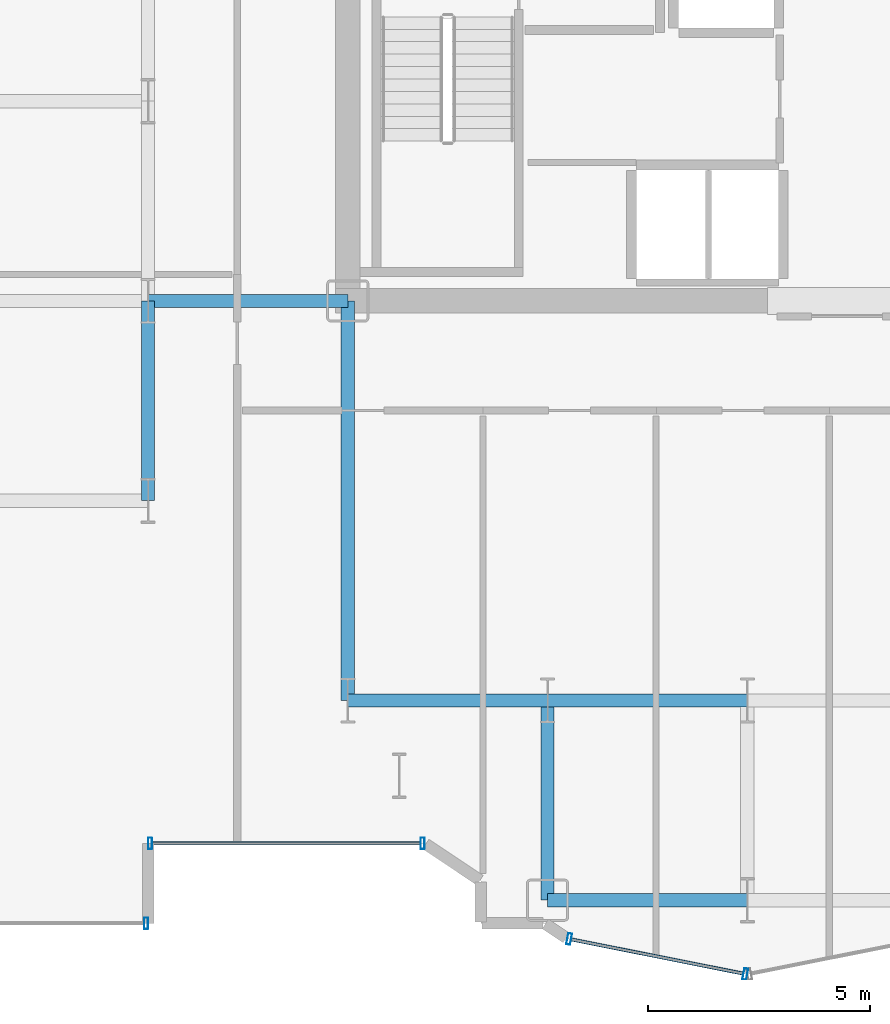
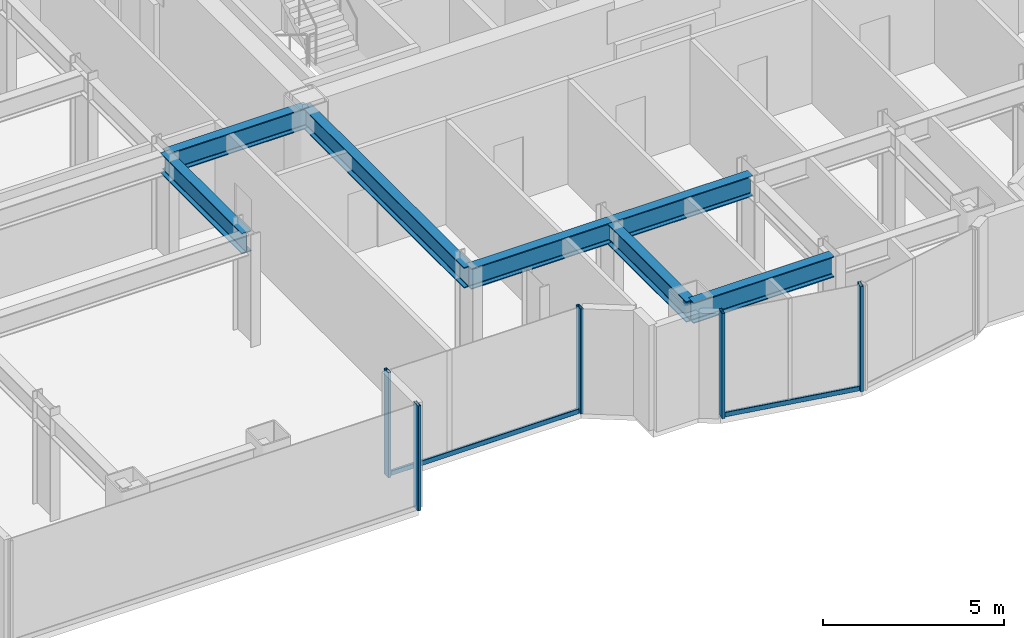
# One storey, part 4 of 25: 7 beams, 7 members, 3 elements without a shape of their own.
"""IFC4 building model written with IfcOpenShell, lengths in metres."""

from ifc_helpers import new_model, si_unit, direction, frame, origin, origin_2d, place, context, subcontext, project, spatial, hollow_rectangle, i_section, extrude, source, transform, mapped, material, layer, layer_set, material_profile, profile_set, type_object, element, aggregate, save


model = new_model("IFC4")

# Units and contexts
model_context = context("Model", 3, precision=1e-05, world=origin(), true_north=direction((0.0, 1.0)))
body_context = subcontext(model_context, "Body", "Model", "MODEL_VIEW")
ifc_project = project(units=[si_unit("LENGTHUNIT", "METRE"), si_unit("AREAUNIT", "SQUARE_METRE"), si_unit("VOLUMEUNIT", "CUBIC_METRE"), si_unit("PLANEANGLEUNIT", "RADIAN"), si_unit("MASSUNIT", "GRAM", prefix="KILO")], contexts=[model_context])

# Site, building, storey
site_placement = place(None, origin())
site = spatial("IfcSite", under=ifc_project, at=site_placement, CompositionType="ELEMENT")
building_placement = place(site_placement, origin())
building = spatial("IfcBuilding", under=site, at=building_placement, Name="Nefas-Gora Pilgrimage Tower", CompositionType="ELEMENT")
storey_placement = place(building_placement, frame((0.0, 0.0, 98.39990234375)))
storey = spatial("IfcBuildingStorey", under=building, at=storey_placement, Name="L23", CompositionType="ELEMENT", Elevation=98.39990234375)

# Beams
ifc_material_1 = material(Name="Steel S355", Category="steel")
ifc_material_profile_1 = material_profile(ifc_material_1, i_section(OverallWidth=0.300048828125, OverallDepth=0.699951171875, WebThickness=0.01708984375, FlangeThickness=0.031982421875, FilletRadius=0.027099609375, at=origin_2d()), Name="HEB 700")
ifc_profile_set_1 = profile_set([ifc_material_profile_1], Name="Steel S355")
beam_type = type_object("IfcBeamType", Name="BM-GIR-HEB700", PredefinedType="BEAM", material=ifc_profile_set_1)
shared_shape_1 = source(origin(), body_context, "Body", "SweptSolid", [
    extrude(i_section(OverallWidth=0.300048828125, OverallDepth=0.699951171875, WebThickness=0.01708984375, FlangeThickness=0.031982421875, FilletRadius=0.027099609375, at=origin_2d()), origin(), (0.0, 0.0, 1.0), 9.0),
])
beam_placement = place(storey_placement, frame((-11.25, -18.0, 3.2001953125), z_axis=(0.0, 1.0, 0.0), x_axis=(-1.0, 0.0, 0.0)))
element("IfcBeam", 1, at=beam_placement, inside=storey, type_object=beam_type, Name="L23 G-02 beam", PredefinedType="BEAM", context=body_context, shape_type="MappedRepresentation", body=[
    mapped(shared_shape_1, transform((0.0, 0.0, 0.0), x_axis=(1.0, 0.0, 0.0), y_axis=(0.0, 1.0, 0.0), z_axis=(0.0, 0.0, 1.0), scale=1.0)),
])
shared_shape_2 = source(origin(), body_context, "Body", "SweptSolid", [
    extrude(i_section(OverallWidth=0.300048828125, OverallDepth=0.699951171875, WebThickness=0.01708984375, FlangeThickness=0.031982421875, FilletRadius=0.027099609375, at=origin_2d()), origin(), (0.0, 0.0, 1.0), 4.5),
])
for number, where, z_axis, x_axis, name in (
    (2, (-15.75, -13.5, 3.2001953125), (0.0, 1.0, 0.0), (-1.0, 0.0, 0.0), "L23 G-02 beam"),
    (3, (-15.75, -9.0, 3.2001953125), (1.0, 0.0, 0.0), (0.0, 1.0, 0.0), "L23 G-02 beam"),
    (4, (-11.25, -18.0, 3.2001953125), (1.0, 0.0, 0.0), (0.0, 1.0, 0.0), "L23 G-02 beam"),
    (5, (-6.75, -22.5, 3.2001953125), (0.0, 1.0, 0.0), (-1.0, 0.0, 0.0), "L23 G-02 beam"),
    (6, (-6.75, -22.5, 3.2001953125), (1.0, 0.0, 0.0), (0.0, 1.0, 0.0), "L23 G-02 beam"),
    (7, (-6.75, -18.0, 3.2001953125), (1.0, 0.0, 0.0), (0.0, 1.0, 0.0), "L23 G-02 beam"),
):
    element("IfcBeam", number, at=place(storey_placement, frame(where, z_axis=z_axis, x_axis=x_axis)), inside=storey, type_object=beam_type, Name=name, PredefinedType="BEAM", context=body_context, shape_type="MappedRepresentation", body=[
        mapped(shared_shape_2, transform((0.0, 0.0, 0.0), x_axis=(1.0, 0.0, 0.0), y_axis=(0.0, 1.0, 0.0), z_axis=(0.0, 0.0, 1.0), scale=1.0)),
    ])

# Curtain wall, members
ifc_material_2 = material(Name="Dark ceramic-fritted solar-control aluminium-glass curtain wall", Category="aluminium")
ifc_layer_1 = layer(ifc_material_2, 0.219970703125)
ifc_layer_set_1 = layer_set([ifc_layer_1], Name="Dark ceramic-fritted solar-control aluminium-glass curtain wall")
curtain_wall_type_1 = type_object("IfcCurtainWallType", Name="CW-SYS-5", PredefinedType="NOTDEFINED", material=ifc_layer_set_1)
curtain_wall_1_placement = place(storey_placement, origin())
curtain_wall_1 = element("IfcCurtainWall", 8, at=curtain_wall_1_placement, inside=storey, type_object=curtain_wall_type_1, Name="L23 Unitised Curtain Wall CW5", PredefinedType="NOTDEFINED")
ifc_material_3 = material(Name="Anodised architectural aluminium", Category="aluminium")
ifc_material_profile_2 = material_profile(ifc_material_3, hollow_rectangle(XDim=0.090087890625, YDim=0.260009765625, WallThickness=0.006103515625, InnerFilletRadius=0.006103515625, OuterFilletRadius=0.011962890625, at=origin_2d()), Name="ALU MULLION 90x260")
ifc_profile_set_2 = profile_set([ifc_material_profile_2], Name="Anodised architectural aluminium")
member_type_1 = type_object("IfcMemberType", Name="CWM-MUL-5", PredefinedType="MULLION", material=ifc_profile_set_2)
shared_shape_3 = source(origin(), body_context, "Body", "SweptSolid", [
    extrude(hollow_rectangle(XDim=0.090087890625, YDim=0.260009765625, WallThickness=0.006103515625, InnerFilletRadius=0.006103515625, OuterFilletRadius=0.011962890625, at=origin_2d()), origin(), (0.0, 0.0, 1.0), 3.550048828125),
])
member_1_placement = place(storey_placement, frame((-15.705078125, -21.219970703125, 0.0), z_axis=(0.0, 0.0, 1.0), x_axis=(1.0, 0.0, 0.0)))
member_1 = element("IfcMember", 9, at=member_1_placement, type_object=member_type_1, Name="CW5 Mullion 1", PredefinedType="MULLION", context=body_context, shape_type="MappedRepresentation", body=[
    mapped(shared_shape_3, transform((0.0, 0.0, 0.0), x_axis=(1.0, 0.0, 0.0), y_axis=(0.0, 1.0, 0.0), z_axis=(0.0, 0.0, 1.0), scale=1.0)),
])
member_2_placement = place(storey_placement, frame((-9.56298828125, -21.219970703125, 0.0), z_axis=(0.0, 0.0, 1.0), x_axis=(1.0, 0.0, 0.0)))
member_2 = element("IfcMember", 10, at=member_2_placement, type_object=member_type_1, Name="CW5 Mullion 2", PredefinedType="MULLION", context=body_context, shape_type="MappedRepresentation", body=[
    mapped(shared_shape_3, transform((0.0, 0.0, 0.0), x_axis=(1.0, 0.0, 0.0), y_axis=(0.0, 1.0, 0.0), z_axis=(0.0, 0.0, 1.0), scale=1.0)),
])

curtain_wall_2_placement = place(storey_placement, origin())
curtain_wall_2 = element("IfcCurtainWall", 11, at=curtain_wall_2_placement, inside=storey, type_object=curtain_wall_type_1, Name="L23 Unitised Curtain Wall CW5", PredefinedType="NOTDEFINED")
member_3_placement = place(storey_placement, frame((-6.26318359375, -23.3740234375, 0.0), z_axis=(0.0, 0.0, 1.0), x_axis=(0.980782896852, -0.195102304554, 0.0)))
member_3 = element("IfcMember", 12, at=member_3_placement, type_object=member_type_1, Name="CW5 Mullion 1", PredefinedType="MULLION", context=body_context, shape_type="MappedRepresentation", body=[
    mapped(shared_shape_3, transform((0.0, 0.0, 0.0), x_axis=(1.0, 0.0, 0.0), y_axis=(0.0, 1.0, 0.0), z_axis=(0.0, 0.0, 1.0), scale=1.0)),
])
member_4_placement = place(storey_placement, frame((-2.294189453125, -24.16357421875, 0.0), z_axis=(0.0, 0.0, 1.0), x_axis=(0.980782896852, -0.195102304554, 0.0)))
member_4 = element("IfcMember", 13, at=member_4_placement, type_object=member_type_1, Name="CW5 Mullion 2", PredefinedType="MULLION", context=body_context, shape_type="MappedRepresentation", body=[
    mapped(shared_shape_3, transform((0.0, 0.0, 0.0), x_axis=(1.0, 0.0, 0.0), y_axis=(0.0, 1.0, 0.0), z_axis=(0.0, 0.0, 1.0), scale=1.0)),
])

# Member
ifc_material_profile_3 = material_profile(ifc_material_3, hollow_rectangle(XDim=0.080078125, YDim=0.159912109375, WallThickness=0.00439453125, InnerFilletRadius=0.00439453125, OuterFilletRadius=0.009033203125, at=origin_2d()), Name="ALU TRANSOM 80x160")
ifc_profile_set_3 = profile_set([ifc_material_profile_3], Name="Anodised architectural aluminium")
member_type_2 = type_object("IfcMemberType", Name="CWM-TRN-5", PredefinedType="USERDEFINED", material=ifc_profile_set_3)
shared_shape_4 = source(origin(), body_context, "Body", "SweptSolid", [
    extrude(hollow_rectangle(XDim=0.080078125, YDim=0.159912109375, WallThickness=0.00439453125, InnerFilletRadius=0.00439453125, OuterFilletRadius=0.009033203125, at=origin_2d()), origin(), (0.0, 0.0, 1.0), 6.052001953125),
])
member_5_placement = place(storey_placement, frame((-15.659912109375, -21.219970703125, 0.050048828125), z_axis=(1.0, 0.0, 0.0), x_axis=(0.0, 1.0, 0.0)))
member_5 = element("IfcMember", 14, at=member_5_placement, type_object=member_type_2, Name="CW5 Spandrel Transom", ObjectType="TRANSOM", PredefinedType="USERDEFINED", context=body_context, shape_type="MappedRepresentation", body=[
    mapped(shared_shape_4, transform((0.0, 0.0, 0.0), x_axis=(1.0, 0.0, 0.0), y_axis=(0.0, 1.0, 0.0), z_axis=(0.0, 0.0, 1.0), scale=1.0)),
])

aggregate(curtain_wall_1, [member_1, member_2, member_5])

# Curtain wall, member
ifc_layer_2 = layer(ifc_material_2, 0.219970703125)
ifc_layer_set_2 = layer_set([ifc_layer_2], Name="Dark ceramic-fritted solar-control aluminium-glass curtain wall")
curtain_wall_type_2 = type_object("IfcCurtainWallType", Name="CW-SYS-2", PredefinedType="NOTDEFINED", material=ifc_layer_set_2)
curtain_wall_3_placement = place(storey_placement, origin())
curtain_wall_3 = element("IfcCurtainWall", 15, at=curtain_wall_3_placement, inside=storey, type_object=curtain_wall_type_2, Name="L23 Unitised Curtain Wall CW2", PredefinedType="NOTDEFINED")
ifc_material_profile_4 = material_profile(ifc_material_3, hollow_rectangle(XDim=0.090087890625, YDim=0.260009765625, WallThickness=0.006103515625, InnerFilletRadius=0.006103515625, OuterFilletRadius=0.011962890625, at=origin_2d()), Name="ALU MULLION 90x260")
ifc_profile_set_4 = profile_set([ifc_material_profile_4], Name="Anodised architectural aluminium")
member_type_3 = type_object("IfcMemberType", Name="CWM-MUL-2", PredefinedType="MULLION", material=ifc_profile_set_4)
shared_shape_5 = source(origin(), body_context, "Body", "SweptSolid", [
    extrude(hollow_rectangle(XDim=0.090087890625, YDim=0.260009765625, WallThickness=0.006103515625, InnerFilletRadius=0.006103515625, OuterFilletRadius=0.011962890625, at=origin_2d()), origin(), (0.0, 0.0, 1.0), 3.550048828125),
])
member_6_placement = place(storey_placement, frame((-15.794921875, -23.02001953125, 0.0), z_axis=(0.0, 0.0, 1.0), x_axis=(1.0, 0.0, 0.0)))
member_6 = element("IfcMember", 16, at=member_6_placement, type_object=member_type_3, Name="CW2 Mullion 2", PredefinedType="MULLION", context=body_context, shape_type="MappedRepresentation", body=[
    mapped(shared_shape_5, transform((0.0, 0.0, 0.0), x_axis=(1.0, 0.0, 0.0), y_axis=(0.0, 1.0, 0.0), z_axis=(0.0, 0.0, 1.0), scale=1.0)),
])
aggregate(curtain_wall_3, [member_6])

# Member
shared_shape_6 = source(origin(), body_context, "Body", "SweptSolid", [
    extrude(hollow_rectangle(XDim=0.080078125, YDim=0.159912109375, WallThickness=0.00439453125, InnerFilletRadius=0.00439453125, OuterFilletRadius=0.009033203125, at=origin_2d()), origin(), (0.0, 0.0, 1.0), 3.95654296875),
])
member_7_placement = place(storey_placement, frame((-6.218994140625, -23.3828125, 0.050048828125), z_axis=(0.980781880918, -0.195107411605, 0.0), x_axis=(0.195107411605, 0.980781880918, 0.0)))
member_7 = element("IfcMember", 17, at=member_7_placement, type_object=member_type_2, Name="CW5 Spandrel Transom", ObjectType="TRANSOM", PredefinedType="USERDEFINED", context=body_context, shape_type="MappedRepresentation", body=[
    mapped(shared_shape_6, transform((0.0, 0.0, 0.0), x_axis=(1.0, 0.0, 0.0), y_axis=(0.0, 1.0, 0.0), z_axis=(0.0, 0.0, 1.0), scale=1.0)),
])

aggregate(curtain_wall_2, [member_3, member_4, member_7])

save(model, "model.ifc")
